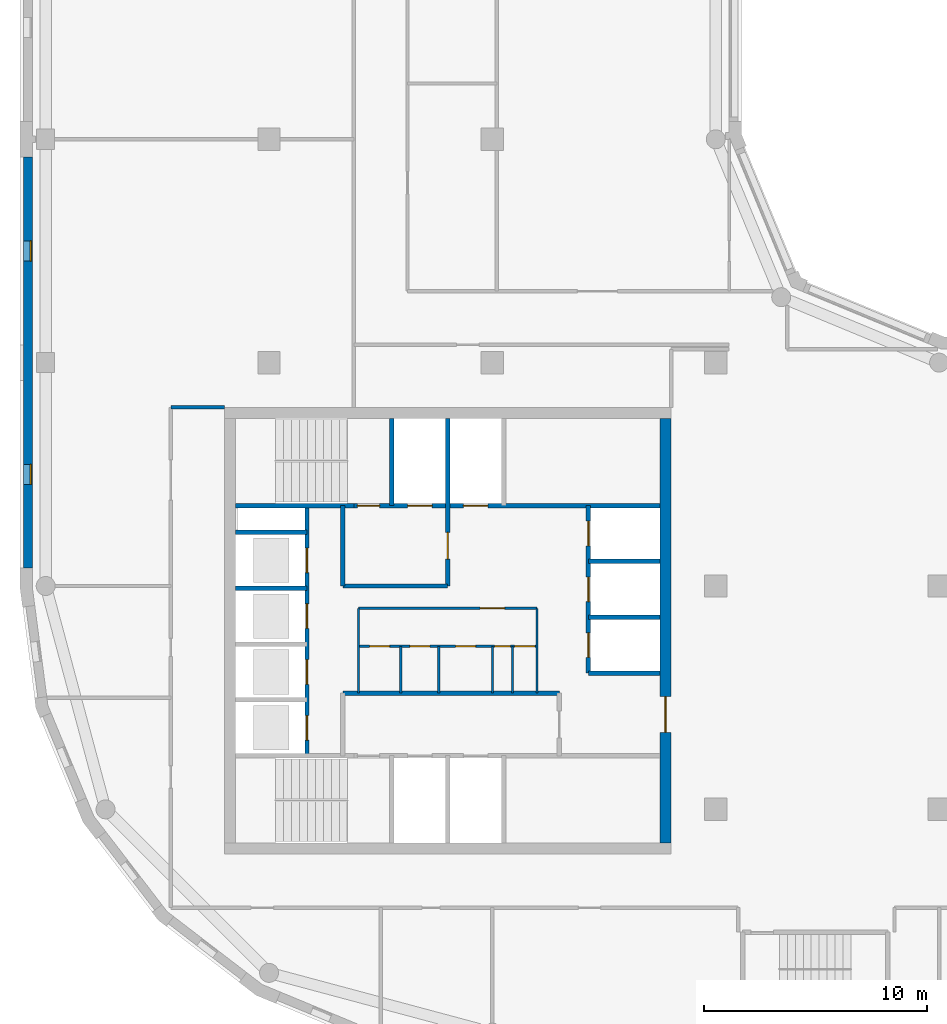
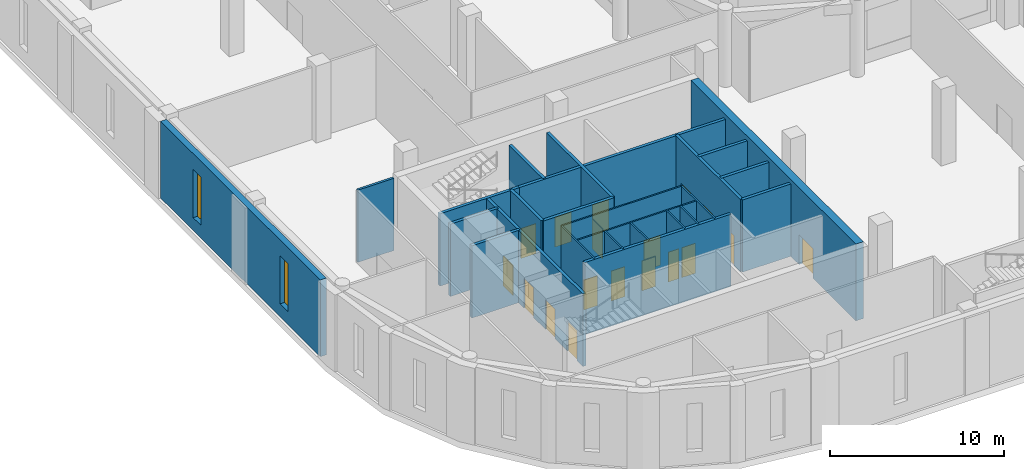
# One storey, part 3 of 9: 25 walls, 18 doors, 2 windows, 20 openings.
"""IFC4 building model written with IfcOpenShell, lengths in metres."""

from ifc_helpers import new_model, si_unit, direction, frame, frame_2d, origin, place, context, subcontext, project, spatial, rectangle, extrude, material, layer, layer_set, type_object, element, fill, save


model = new_model("IFC4")

# Units and contexts
model_context = context("Model", 3, precision=1e-05, world=origin(), true_north=direction((0.0, 1.0)))
body_context = subcontext(model_context, "Body", "Model", "MODEL_VIEW")
ifc_project = project(units=[si_unit("LENGTHUNIT", "METRE"), si_unit("AREAUNIT", "SQUARE_METRE"), si_unit("VOLUMEUNIT", "CUBIC_METRE"), si_unit("PLANEANGLEUNIT", "RADIAN"), si_unit("MASSUNIT", "GRAM", prefix="KILO")], contexts=[model_context])

# Site, building, storey
site_placement = place(None, origin())
site = spatial("IfcSite", under=ifc_project, at=site_placement, CompositionType="ELEMENT")
building_placement = place(site_placement, origin())
building = spatial("IfcBuilding", under=site, at=building_placement, Name="Qaws Garden Tower", CompositionType="ELEMENT")
storey_placement = place(building_placement, frame((0.0, 0.0, 246.0)))
storey = spatial("IfcBuildingStorey", under=building, at=storey_placement, Name="L59", CompositionType="ELEMENT", Elevation=246.0)

# Wall, openings, windows
ifc_material_1 = material(Name="Clay facing brick masonry", Category="masonry")
ifc_layer_1 = layer(ifc_material_1, 0.39990234375)
ifc_layer_set_1 = layer_set([ifc_layer_1], Name="Clay facing brick masonry")
wall_type_1 = type_object("IfcWallType", Name="Brick infill wall 400", PredefinedType="SOLIDWALL", material=ifc_layer_set_1)
wall_1_placement = place(storey_placement, frame((-0.800048828125, 39.199951171875, 0.0), z_axis=(0.0, 0.0, 1.0), x_axis=(0.0, -1.0, 0.0)))
wall_1 = element("IfcWall", 1, at=wall_1_placement, inside=storey, type_object=wall_type_1, Name="E-L59-infill-21", PredefinedType="SOLIDWALL", context=body_context, shape_type="SweptSolid", body=[
    extrude(rectangle(XDim=18.39990234375, YDim=0.39990234375, at=frame_2d((9.199951171875, 0.0))), origin(), (0.0, 0.0, 1.0), 5.39990234375),
])
opening_1_placement = place(wall_1_placement, frame((3.75, 0.0, 0.89990234375)))
opening_1 = element("IfcOpeningElement", 2, at=opening_1_placement, cuts=wall_1, Name="Opening W10", PredefinedType="OPENING", context=body_context, shape_type="SweptSolid", body=[
    extrude(rectangle(XDim=0.89990234375, YDim=3.39990234375, at=frame_2d((0.449951171875, 1.699951171875))), frame((0.0, 0.2099609375, 0.0), z_axis=(0.0, -1.0, 0.0), x_axis=(1.0, 0.0, 0.0)), (0.0, 0.0, 1.0), 0.419921875),
])
opening_2_placement = place(wall_1_placement, frame((13.75, 0.0, 0.89990234375)))
opening_2 = element("IfcOpeningElement", 3, at=opening_2_placement, cuts=wall_1, Name="Opening W10", PredefinedType="OPENING", context=body_context, shape_type="SweptSolid", body=[
    extrude(rectangle(XDim=0.89990234375, YDim=3.39990234375, at=frame_2d((0.449951171875, 1.699951171875))), frame((0.0, 0.2099609375, 0.0), z_axis=(0.0, -1.0, 0.0), x_axis=(1.0, 0.0, 0.0)), (0.0, 0.0, 1.0), 0.419921875),
])
ifc_material_2 = material(Name="Aluminium framed window, clear glazing", Category="aluminium")
window_type = type_object("IfcWindowType", Name="Slit window 900 x 3400", PartitioningType="SINGLE_PANEL", PredefinedType="WINDOW", material=ifc_material_2)
window_1_placement = place(opening_1_placement, origin())
window_1 = element("IfcWindow", 4, at=window_1_placement, inside=storey, type_object=window_type, Name="E-L59-window-21-0", OverallHeight=3.39990234375, OverallWidth=0.89990234375, PartitioningType="SINGLE_PANEL", PredefinedType="WINDOW", context=body_context, shape_type="SweptSolid", body=[
    extrude(rectangle(XDim=0.89990234375, YDim=3.39990234375, at=frame_2d((0.449951171875, 1.699951171875))), frame((0.0, 0.159912109375, 0.0), z_axis=(0.0, -1.0, 0.0), x_axis=(1.0, 0.0, 0.0)), (0.0, 0.0, 1.0), 0.06005859375),
])
fill(opening_1, window_1)
window_2_placement = place(opening_2_placement, origin())
window_2 = element("IfcWindow", 5, at=window_2_placement, inside=storey, type_object=window_type, Name="E-L59-window-22-0", OverallHeight=3.39990234375, OverallWidth=0.89990234375, PartitioningType="SINGLE_PANEL", PredefinedType="WINDOW", context=body_context, shape_type="SweptSolid", body=[
    extrude(rectangle(XDim=0.89990234375, YDim=3.39990234375, at=frame_2d((0.449951171875, 1.699951171875))), frame((0.0, 0.159912109375, 0.0), z_axis=(0.0, -1.0, 0.0), x_axis=(1.0, 0.0, 0.0)), (0.0, 0.0, 1.0), 0.06005859375),
])
fill(opening_2, window_2)

# Wall, openings, doors
ifc_material_3 = material(Name="Plasterboard")
ifc_layer_2 = layer(ifc_material_3, 0.10009765625)
ifc_layer_set_2 = layer_set([ifc_layer_2], Name="Plasterboard")
wall_type_2 = type_object("IfcWallType", Name="Core partition 100", PredefinedType="PARTITIONING", material=ifc_layer_set_2)
wall_2_placement = place(storey_placement, frame((14.0, 17.300048828125, 0.0), z_axis=(0.0, 0.0, 1.0), x_axis=(1.0, 0.0, 0.0)))
wall_2 = element("IfcWall", 6, at=wall_2_placement, inside=storey, type_object=wall_type_2, Name="Core partition", PredefinedType="PARTITIONING", context=body_context, shape_type="SweptSolid", body=[
    extrude(rectangle(XDim=8.0, YDim=0.10009765625, at=frame_2d((4.0, 0.0))), origin(), (0.0, 0.0, 1.0), 5.080078125),
])
opening_3_placement = place(wall_2_placement, frame((0.5, 0.0, 0.0)))
opening_3 = element("IfcOpeningElement", 7, at=opening_3_placement, cuts=wall_2, Name="Opening WD20", PredefinedType="OPENING", context=body_context, shape_type="SweptSolid", body=[
    extrude(rectangle(XDim=0.89990234375, YDim=2.10009765625, at=frame_2d((0.449951171875, 1.050048828125))), frame((0.0, 0.06005859375, 0.0), z_axis=(0.0, -1.0, 0.0), x_axis=(1.0, 0.0, 0.0)), (0.0, 0.0, 1.0), 0.1201171875),
])
opening_4_placement = place(wall_2_placement, frame((2.300048828125, 0.0, 0.0)))
opening_4 = element("IfcOpeningElement", 8, at=opening_4_placement, cuts=wall_2, Name="Opening WD21", PredefinedType="OPENING", context=body_context, shape_type="SweptSolid", body=[
    extrude(rectangle(XDim=0.89990234375, YDim=2.10009765625, at=frame_2d((0.449951171875, 1.050048828125))), frame((0.0, 0.06005859375, 0.0), z_axis=(0.0, -1.0, 0.0), x_axis=(1.0, 0.0, 0.0)), (0.0, 0.0, 1.0), 0.1201171875),
])
opening_5_placement = place(wall_2_placement, frame((4.35009765625, 0.0, 0.0)))
opening_5 = element("IfcOpeningElement", 9, at=opening_5_placement, cuts=wall_2, Name="Opening WD22", PredefinedType="OPENING", context=body_context, shape_type="SweptSolid", body=[
    extrude(rectangle(XDim=0.89990234375, YDim=2.10009765625, at=frame_2d((0.449951171875, 1.050048828125))), frame((0.0, 0.06005859375, 0.0), z_axis=(0.0, -1.0, 0.0), x_axis=(1.0, 0.0, 0.0)), (0.0, 0.0, 1.0), 0.1201171875),
])
opening_6_placement = place(wall_2_placement, frame((6.10009765625, 0.0, 0.0)))
opening_6 = element("IfcOpeningElement", 10, at=opening_6_placement, cuts=wall_2, Name="Opening XD23", PredefinedType="OPENING", context=body_context, shape_type="SweptSolid", body=[
    extrude(rectangle(XDim=0.699951171875, YDim=2.10009765625, at=frame_2d((0.35009765625, 1.050048828125))), frame((0.0, 0.06005859375, 0.0), z_axis=(0.0, -1.0, 0.0), x_axis=(1.0, 0.0, 0.0)), (0.0, 0.0, 1.0), 0.1201171875),
])
opening_7_placement = place(wall_2_placement, frame((7.0, 0.0, 0.0)))
opening_7 = element("IfcOpeningElement", 11, at=opening_7_placement, cuts=wall_2, Name="Opening WD24", PredefinedType="OPENING", context=body_context, shape_type="SweptSolid", body=[
    extrude(rectangle(XDim=0.89990234375, YDim=2.10009765625, at=frame_2d((0.449951171875, 1.050048828125))), frame((0.0, 0.06005859375, 0.0), z_axis=(0.0, -1.0, 0.0), x_axis=(1.0, 0.0, 0.0)), (0.0, 0.0, 1.0), 0.1201171875),
])
ifc_material_4 = material(Name="Timber", Category="wood")
door_type_1 = type_object("IfcDoorType", Name="Store door 700x2100", OperationType="SINGLE_SWING_LEFT", PredefinedType="DOOR", material=ifc_material_4)
door_1_placement = place(opening_6_placement, frame((0.699951171875, 0.0, 0.0), z_axis=(0.0, 0.0, 1.0), x_axis=(-1.0, 0.0, 0.0)))
door_1 = element("IfcDoor", 12, at=door_1_placement, inside=storey, type_object=door_type_1, Name="Cleaner's store door", OperationType="SINGLE_SWING_LEFT", OverallHeight=2.10009765625, OverallWidth=0.699951171875, PredefinedType="DOOR", context=body_context, shape_type="SweptSolid", body=[
    extrude(rectangle(XDim=0.699951171875, YDim=2.10009765625, at=frame_2d((0.35009765625, 1.050048828125))), frame((0.0, 0.02490234375, 0.0), z_axis=(0.0, -1.0, 0.0), x_axis=(1.0, 0.0, 0.0)), (0.0, 0.0, 1.0), 0.050048828125),
])
fill(opening_6, door_1)
ifc_material_5 = material(Name="Timber", Category="wood")
door_type_2 = type_object("IfcDoorType", Name="WC door 900x2100", OperationType="SINGLE_SWING_LEFT", PredefinedType="DOOR", material=ifc_material_5)
door_2_placement = place(opening_3_placement, frame((0.89990234375, 0.0, 0.0), z_axis=(0.0, 0.0, 1.0), x_axis=(-1.0, 0.0, 0.0)))
door_2 = element("IfcDoor", 13, at=door_2_placement, inside=storey, type_object=door_type_2, Name="Men's WC door", OperationType="SINGLE_SWING_LEFT", OverallHeight=2.10009765625, OverallWidth=0.89990234375, PredefinedType="DOOR", context=body_context, shape_type="SweptSolid", body=[
    extrude(rectangle(XDim=0.89990234375, YDim=2.10009765625, at=frame_2d((0.449951171875, 1.050048828125))), frame((0.0, 0.02490234375, 0.0), z_axis=(0.0, -1.0, 0.0), x_axis=(1.0, 0.0, 0.0)), (0.0, 0.0, 1.0), 0.050048828125),
])
fill(opening_3, door_2)
door_3_placement = place(opening_4_placement, frame((0.89990234375, 0.0, 0.0), z_axis=(0.0, 0.0, 1.0), x_axis=(-1.0, 0.0, 0.0)))
door_3 = element("IfcDoor", 14, at=door_3_placement, inside=storey, type_object=door_type_2, Name="Accessible WC door", OperationType="SINGLE_SWING_LEFT", OverallHeight=2.10009765625, OverallWidth=0.89990234375, PredefinedType="DOOR", context=body_context, shape_type="SweptSolid", body=[
    extrude(rectangle(XDim=0.89990234375, YDim=2.10009765625, at=frame_2d((0.449951171875, 1.050048828125))), frame((0.0, 0.02490234375, 0.0), z_axis=(0.0, -1.0, 0.0), x_axis=(1.0, 0.0, 0.0)), (0.0, 0.0, 1.0), 0.050048828125),
])
fill(opening_4, door_3)
door_4_placement = place(opening_5_placement, frame((0.89990234375, 0.0, 0.0), z_axis=(0.0, 0.0, 1.0), x_axis=(-1.0, 0.0, 0.0)))
door_4 = element("IfcDoor", 15, at=door_4_placement, inside=storey, type_object=door_type_2, Name="Women's WC door", OperationType="SINGLE_SWING_LEFT", OverallHeight=2.10009765625, OverallWidth=0.89990234375, PredefinedType="DOOR", context=body_context, shape_type="SweptSolid", body=[
    extrude(rectangle(XDim=0.89990234375, YDim=2.10009765625, at=frame_2d((0.449951171875, 1.050048828125))), frame((0.0, 0.02490234375, 0.0), z_axis=(0.0, -1.0, 0.0), x_axis=(1.0, 0.0, 0.0)), (0.0, 0.0, 1.0), 0.050048828125),
])
fill(opening_5, door_4)
door_5_placement = place(opening_7_placement, frame((0.89990234375, 0.0, 0.0), z_axis=(0.0, 0.0, 1.0), x_axis=(-1.0, 0.0, 0.0)))
door_5 = element("IfcDoor", 16, at=door_5_placement, inside=storey, type_object=door_type_2, Name="Linen store door", OperationType="SINGLE_SWING_LEFT", OverallHeight=2.10009765625, OverallWidth=0.89990234375, PredefinedType="DOOR", context=body_context, shape_type="SweptSolid", body=[
    extrude(rectangle(XDim=0.89990234375, YDim=2.10009765625, at=frame_2d((0.449951171875, 1.050048828125))), frame((0.0, 0.02490234375, 0.0), z_axis=(0.0, -1.0, 0.0), x_axis=(1.0, 0.0, 0.0)), (0.0, 0.0, 1.0), 0.050048828125),
])
fill(opening_7, door_5)

# Wall, opening, door
wall_3_placement = place(storey_placement, frame((14.0, 19.0, 0.0), z_axis=(0.0, 0.0, 1.0), x_axis=(1.0, 0.0, 0.0)))
wall_3 = element("IfcWall", 17, at=wall_3_placement, inside=storey, type_object=wall_type_2, Name="Core partition", PredefinedType="PARTITIONING", context=body_context, shape_type="SweptSolid", body=[
    extrude(rectangle(XDim=8.0, YDim=0.10009765625, at=frame_2d((4.0, 0.0))), origin(), (0.0, 0.0, 1.0), 5.080078125),
])
opening_8_placement = place(wall_3_placement, frame((5.449951171875, 0.0, 0.0)))
opening_8 = element("IfcOpeningElement", 18, at=opening_8_placement, cuts=wall_3, Name="Opening WL19", PredefinedType="OPENING", context=body_context, shape_type="SweptSolid", body=[
    extrude(rectangle(XDim=1.10009765625, YDim=2.10009765625, at=frame_2d((0.550048828125, 1.050048828125))), frame((0.0, 0.06005859375, 0.0), z_axis=(0.0, -1.0, 0.0), x_axis=(1.0, 0.0, 0.0)), (0.0, 0.0, 1.0), 0.1201171875),
])
ifc_material_6 = material(Name="Timber", Category="wood")
door_type_3 = type_object("IfcDoorType", Name="WC lobby door 1100x2100", OperationType="SINGLE_SWING_LEFT", PredefinedType="DOOR", material=ifc_material_6)
door_6_placement = place(opening_8_placement, frame((1.10009765625, 0.0, 0.0), z_axis=(0.0, 0.0, 1.0), x_axis=(-1.0, 0.0, 0.0)))
door_6 = element("IfcDoor", 19, at=door_6_placement, inside=storey, type_object=door_type_3, Name="WC lobby door", OperationType="SINGLE_SWING_LEFT", OverallHeight=2.10009765625, OverallWidth=1.10009765625, PredefinedType="DOOR", context=body_context, shape_type="SweptSolid", body=[
    extrude(rectangle(XDim=1.10009765625, YDim=2.10009765625, at=frame_2d((0.550048828125, 1.050048828125))), frame((0.0, 0.02490234375, 0.0), z_axis=(0.0, -1.0, 0.0), x_axis=(1.0, 0.0, 0.0)), (0.0, 0.0, 1.0), 0.050048828125),
])
fill(opening_8, door_6)

# Walls
wall_4_placement = place(storey_placement, frame((14.0, 15.199951171875, 0.0), z_axis=(0.0, 0.0, 1.0), x_axis=(0.0, 1.0, 0.0)))
element("IfcWall", 20, at=wall_4_placement, inside=storey, type_object=wall_type_2, Name="Core partition", PredefinedType="PARTITIONING", context=body_context, shape_type="SweptSolid", body=[
    extrude(rectangle(XDim=3.800048828125, YDim=0.10009765625, at=frame_2d((1.89990234375, 0.0))), origin(), (0.0, 0.0, 1.0), 5.080078125),
])
for number, where, z_axis, x_axis, name in (
    (21, (15.89990234375, 15.199951171875, 0.0), (0.0, 0.0, 1.0), (0.0, 1.0, 0.0), "Core partition"),
    (22, (17.60009765625, 15.199951171875, 0.0), (0.0, 0.0, 1.0), (0.0, 1.0, 0.0), "Core partition"),
    (23, (20.0, 15.199951171875, 0.0), (0.0, 0.0, 1.0), (0.0, 1.0, 0.0), "Core partition"),
    (24, (20.89990234375, 15.199951171875, 0.0), (0.0, 0.0, 1.0), (0.0, 1.0, 0.0), "Core partition"),
):
    element("IfcWall", number, at=place(storey_placement, frame(where, z_axis=z_axis, x_axis=x_axis)), inside=storey, type_object=wall_type_2, Name=name, PredefinedType="PARTITIONING", context=body_context, shape_type="SweptSolid", body=[
        extrude(rectangle(XDim=2.10009765625, YDim=0.10009765625, at=frame_2d((1.050048828125, 0.0))), origin(), (0.0, 0.0, 1.0), 5.080078125),
    ])
wall_5_placement = place(storey_placement, frame((22.0, 15.199951171875, 0.0), z_axis=(0.0, 0.0, 1.0), x_axis=(0.0, 1.0, 0.0)))
element("IfcWall", 25, at=wall_5_placement, inside=storey, type_object=wall_type_2, Name="Core partition", PredefinedType="PARTITIONING", context=body_context, shape_type="SweptSolid", body=[
    extrude(rectangle(XDim=3.800048828125, YDim=0.10009765625, at=frame_2d((1.89990234375, 0.0))), origin(), (0.0, 0.0, 1.0), 5.080078125),
])
ifc_material_7 = material(Name="Concrete C60", Category="concrete")
ifc_layer_3 = layer(ifc_material_7, 0.199951171875)
ifc_layer_set_3 = layer_set([ifc_layer_3], Name="Concrete C60")
wall_type_3 = type_object("IfcWallType", Name="Core shaft wall 200 C60", PredefinedType="SHEAR", material=ifc_layer_set_3)
wall_6_placement = place(storey_placement, frame((13.300048828125, 15.199951171875, 0.0), z_axis=(0.0, 0.0, 1.0), x_axis=(1.0, 0.0, 0.0)))
element("IfcWall", 26, at=wall_6_placement, inside=storey, type_object=wall_type_3, Name="Shaft wall", PredefinedType="SHEAR", context=body_context, shape_type="SweptSolid", body=[
    extrude(rectangle(XDim=9.699951171875, YDim=0.199951171875, at=frame_2d((4.85009765625, 0.0))), origin(), (0.0, 0.0, 1.0), 5.080078125),
])
for number, where, z_axis, x_axis, name in (
    (27, (24.300048828125, 16.10009765625, 0.0), (0.0, 0.0, 1.0), (1.0, 0.0, 0.0), "Shaft wall"),
    (28, (24.300048828125, 18.60009765625, 0.0), (0.0, 0.0, 1.0), (1.0, 0.0, 0.0), "Shaft wall"),
    (29, (8.5, 19.89990234375, 0.0), (0.0, 0.0, 1.0), (1.0, 0.0, 0.0), "Shaft wall"),
):
    element("IfcWall", number, at=place(storey_placement, frame(where, z_axis=z_axis, x_axis=x_axis)), inside=storey, type_object=wall_type_3, Name=name, PredefinedType="SHEAR", context=body_context, shape_type="SweptSolid", body=[
        extrude(rectangle(XDim=3.199951171875, YDim=0.199951171875, at=frame_2d((1.60009765625, 0.0))), origin(), (0.0, 0.0, 1.0), 5.080078125),
    ])
wall_7_placement = place(storey_placement, frame((13.300048828125, 20.0, 0.0), z_axis=(0.0, 0.0, 1.0), x_axis=(1.0, 0.0, 0.0)))
element("IfcWall", 30, at=wall_7_placement, inside=storey, type_object=wall_type_3, Name="Shaft wall", PredefinedType="SHEAR", context=body_context, shape_type="SweptSolid", body=[
    extrude(rectangle(XDim=4.699951171875, YDim=0.199951171875, at=frame_2d((2.35009765625, 0.0))), origin(), (0.0, 0.0, 1.0), 5.080078125),
])
for number, where, z_axis, x_axis, name in (
    (31, (24.300048828125, 21.10009765625, 0.0), (0.0, 0.0, 1.0), (1.0, 0.0, 0.0), "Shaft wall"),
    (32, (8.5, 22.39990234375, 0.0), (0.0, 0.0, 1.0), (1.0, 0.0, 0.0), "Shaft wall"),
):
    element("IfcWall", number, at=place(storey_placement, frame(where, z_axis=z_axis, x_axis=x_axis)), inside=storey, type_object=wall_type_3, Name=name, PredefinedType="SHEAR", context=body_context, shape_type="SweptSolid", body=[
        extrude(rectangle(XDim=3.199951171875, YDim=0.199951171875, at=frame_2d((1.60009765625, 0.0))), origin(), (0.0, 0.0, 1.0), 5.080078125),
    ])
wall_8_placement = place(storey_placement, frame((8.5, 23.60009765625, 0.0), z_axis=(0.0, 0.0, 1.0), x_axis=(1.0, 0.0, 0.0)))
element("IfcWall", 33, at=wall_8_placement, inside=storey, type_object=wall_type_3, Name="Shaft wall", PredefinedType="SHEAR", context=body_context, shape_type="SweptSolid", body=[
    extrude(rectangle(XDim=5.300048828125, YDim=0.199951171875, at=frame_2d((2.64990234375, 0.0))), origin(), (0.0, 0.0, 1.0), 5.080078125),
])

# Wall, openings, doors
wall_9_placement = place(storey_placement, frame((13.800048828125, 23.60009765625, 0.0), z_axis=(0.0, 0.0, 1.0), x_axis=(1.0, 0.0, 0.0)))
wall_9 = element("IfcWall", 34, at=wall_9_placement, inside=storey, type_object=wall_type_3, Name="Shaft wall", PredefinedType="SHEAR", context=body_context, shape_type="SweptSolid", body=[
    extrude(rectangle(XDim=13.699951171875, YDim=0.199951171875, at=frame_2d((6.85009765625, 0.0))), origin(), (0.0, 0.0, 1.0), 5.080078125),
])
opening_9_placement = place(wall_9_placement, frame((2.39990234375, 0.0, 0.0)))
opening_9 = element("IfcOpeningElement", 35, at=opening_9_placement, cuts=wall_9, Name="Opening LD10", PredefinedType="OPENING", context=body_context, shape_type="SweptSolid", body=[
    extrude(rectangle(XDim=1.10009765625, YDim=2.10009765625, at=frame_2d((0.550048828125, 1.050048828125))), frame((0.0, 0.10986328125, 0.0), z_axis=(0.0, -1.0, 0.0), x_axis=(1.0, 0.0, 0.0)), (0.0, 0.0, 1.0), 0.219970703125),
])
opening_10_placement = place(wall_9_placement, frame((4.89990234375, 0.0, 0.0)))
opening_10 = element("IfcOpeningElement", 36, at=opening_10_placement, cuts=wall_9, Name="Opening LD11", PredefinedType="OPENING", context=body_context, shape_type="SweptSolid", body=[
    extrude(rectangle(XDim=1.10009765625, YDim=2.10009765625, at=frame_2d((0.550048828125, 1.050048828125))), frame((0.0, 0.10986328125, 0.0), z_axis=(0.0, -1.0, 0.0), x_axis=(1.0, 0.0, 0.0)), (0.0, 0.0, 1.0), 0.219970703125),
])
opening_11_placement = place(wall_9_placement, frame((0.14990234375, 0.0, 0.0)))
opening_11 = element("IfcOpeningElement", 37, at=opening_11_placement, cuts=wall_9, Name="Opening SD13", PredefinedType="OPENING", context=body_context, shape_type="SweptSolid", body=[
    extrude(rectangle(XDim=1.0, YDim=2.10009765625, at=frame_2d((0.5, 1.050048828125))), frame((0.0, 0.10986328125, 0.0), z_axis=(0.0, -1.0, 0.0), x_axis=(1.0, 0.0, 0.0)), (0.0, 0.0, 1.0), 0.219970703125),
])
ifc_material_8 = material(Name="Steel S235", Category="steel")
door_type_4 = type_object("IfcDoorType", Name="Landing door 1100x2100", OperationType="DOUBLE_DOOR_SLIDING", PredefinedType="DOOR", material=ifc_material_8)
door_7_placement = place(opening_9_placement, origin())
door_7 = element("IfcDoor", 38, at=door_7_placement, inside=storey, type_object=door_type_4, Name="Lift FF3 landing door", OperationType="DOUBLE_DOOR_SLIDING", OverallHeight=2.10009765625, OverallWidth=1.10009765625, PredefinedType="DOOR", context=body_context, shape_type="SweptSolid", body=[
    extrude(rectangle(XDim=1.10009765625, YDim=2.10009765625, at=frame_2d((0.550048828125, 1.050048828125))), frame((0.0, 0.02490234375, 0.0), z_axis=(0.0, -1.0, 0.0), x_axis=(1.0, 0.0, 0.0)), (0.0, 0.0, 1.0), 0.050048828125),
])
fill(opening_9, door_7)
door_8_placement = place(opening_10_placement, origin())
door_8 = element("IfcDoor", 39, at=door_8_placement, inside=storey, type_object=door_type_4, Name="Lift SV2 landing door", OperationType="DOUBLE_DOOR_SLIDING", OverallHeight=2.10009765625, OverallWidth=1.10009765625, PredefinedType="DOOR", context=body_context, shape_type="SweptSolid", body=[
    extrude(rectangle(XDim=1.10009765625, YDim=2.10009765625, at=frame_2d((0.550048828125, 1.050048828125))), frame((0.0, 0.02490234375, 0.0), z_axis=(0.0, -1.0, 0.0), x_axis=(1.0, 0.0, 0.0)), (0.0, 0.0, 1.0), 0.050048828125),
])
fill(opening_10, door_8)
ifc_material_9 = material(Name="Steel S235", Category="steel")
door_type_5 = type_object("IfcDoorType", Name="Stair door 1000x2100", OperationType="SINGLE_SWING_RIGHT", PredefinedType="DOOR", material=ifc_material_9)
door_9_placement = place(opening_11_placement, origin())
door_9 = element("IfcDoor", 40, at=door_9_placement, inside=storey, type_object=door_type_5, Name="Stair 4 door", OperationType="SINGLE_SWING_RIGHT", OverallHeight=2.10009765625, OverallWidth=1.0, PredefinedType="DOOR", context=body_context, shape_type="SweptSolid", body=[
    extrude(rectangle(XDim=1.0, YDim=2.10009765625, at=frame_2d((0.5, 1.050048828125))), frame((0.0, 0.02490234375, 0.0), z_axis=(0.0, -1.0, 0.0), x_axis=(1.0, 0.0, 0.0)), (0.0, 0.0, 1.0), 0.050048828125),
])
fill(opening_11, door_9)

wall_10_placement = place(storey_placement, frame((11.699951171875, 12.39990234375, 0.0), z_axis=(0.0, 0.0, 1.0), x_axis=(0.0, 1.0, 0.0)))
wall_10 = element("IfcWall", 41, at=wall_10_placement, inside=storey, type_object=wall_type_3, Name="Shaft wall", PredefinedType="SHEAR", context=body_context, shape_type="SweptSolid", body=[
    extrude(rectangle(XDim=11.2001953125, YDim=0.199951171875, at=frame_2d((5.60009765625, 0.0))), origin(), (0.0, 0.0, 1.0), 5.080078125),
])
opening_12_placement = place(wall_10_placement, frame((0.699951171875, 0.0, 0.0)))
opening_12 = element("IfcOpeningElement", 42, at=opening_12_placement, cuts=wall_10, Name="Opening LD01", PredefinedType="OPENING", context=body_context, shape_type="SweptSolid", body=[
    extrude(rectangle(XDim=1.10009765625, YDim=2.10009765625, at=frame_2d((0.550048828125, 1.050048828125))), frame((0.0, 0.10986328125, 0.0), z_axis=(0.0, -1.0, 0.0), x_axis=(1.0, 0.0, 0.0)), (0.0, 0.0, 1.0), 0.219970703125),
])
opening_13_placement = place(wall_10_placement, frame((3.199951171875, 0.0, 0.0)))
opening_13 = element("IfcOpeningElement", 43, at=opening_13_placement, cuts=wall_10, Name="Opening LD02", PredefinedType="OPENING", context=body_context, shape_type="SweptSolid", body=[
    extrude(rectangle(XDim=1.10009765625, YDim=2.10009765625, at=frame_2d((0.550048828125, 1.050048828125))), frame((0.0, 0.10986328125, 0.0), z_axis=(0.0, -1.0, 0.0), x_axis=(1.0, 0.0, 0.0)), (0.0, 0.0, 1.0), 0.219970703125),
])
opening_14_placement = place(wall_10_placement, frame((5.699951171875, 0.0, 0.0)))
opening_14 = element("IfcOpeningElement", 44, at=opening_14_placement, cuts=wall_10, Name="Opening LD03", PredefinedType="OPENING", context=body_context, shape_type="SweptSolid", body=[
    extrude(rectangle(XDim=1.10009765625, YDim=2.10009765625, at=frame_2d((0.550048828125, 1.050048828125))), frame((0.0, 0.10986328125, 0.0), z_axis=(0.0, -1.0, 0.0), x_axis=(1.0, 0.0, 0.0)), (0.0, 0.0, 1.0), 0.219970703125),
])
opening_15_placement = place(wall_10_placement, frame((8.199951171875, 0.0, 0.0)))
opening_15 = element("IfcOpeningElement", 45, at=opening_15_placement, cuts=wall_10, Name="Opening LD04", PredefinedType="OPENING", context=body_context, shape_type="SweptSolid", body=[
    extrude(rectangle(XDim=1.10009765625, YDim=2.10009765625, at=frame_2d((0.550048828125, 1.050048828125))), frame((0.0, 0.10986328125, 0.0), z_axis=(0.0, -1.0, 0.0), x_axis=(1.0, 0.0, 0.0)), (0.0, 0.0, 1.0), 0.219970703125),
])
door_10_placement = place(opening_12_placement, origin())
door_10 = element("IfcDoor", 46, at=door_10_placement, inside=storey, type_object=door_type_4, Name="Lift W1 landing door", OperationType="DOUBLE_DOOR_SLIDING", OverallHeight=2.10009765625, OverallWidth=1.10009765625, PredefinedType="DOOR", context=body_context, shape_type="SweptSolid", body=[
    extrude(rectangle(XDim=1.10009765625, YDim=2.10009765625, at=frame_2d((0.550048828125, 1.050048828125))), frame((0.0, 0.02490234375, 0.0), z_axis=(0.0, -1.0, 0.0), x_axis=(1.0, 0.0, 0.0)), (0.0, 0.0, 1.0), 0.050048828125),
])
fill(opening_12, door_10)
door_11_placement = place(opening_13_placement, origin())
door_11 = element("IfcDoor", 47, at=door_11_placement, inside=storey, type_object=door_type_4, Name="Lift W2 landing door", OperationType="DOUBLE_DOOR_SLIDING", OverallHeight=2.10009765625, OverallWidth=1.10009765625, PredefinedType="DOOR", context=body_context, shape_type="SweptSolid", body=[
    extrude(rectangle(XDim=1.10009765625, YDim=2.10009765625, at=frame_2d((0.550048828125, 1.050048828125))), frame((0.0, 0.02490234375, 0.0), z_axis=(0.0, -1.0, 0.0), x_axis=(1.0, 0.0, 0.0)), (0.0, 0.0, 1.0), 0.050048828125),
])
fill(opening_13, door_11)
door_12_placement = place(opening_14_placement, origin())
door_12 = element("IfcDoor", 48, at=door_12_placement, inside=storey, type_object=door_type_4, Name="Lift W3 landing door", OperationType="DOUBLE_DOOR_SLIDING", OverallHeight=2.10009765625, OverallWidth=1.10009765625, PredefinedType="DOOR", context=body_context, shape_type="SweptSolid", body=[
    extrude(rectangle(XDim=1.10009765625, YDim=2.10009765625, at=frame_2d((0.550048828125, 1.050048828125))), frame((0.0, 0.02490234375, 0.0), z_axis=(0.0, -1.0, 0.0), x_axis=(1.0, 0.0, 0.0)), (0.0, 0.0, 1.0), 0.050048828125),
])
fill(opening_14, door_12)
door_13_placement = place(opening_15_placement, origin())
door_13 = element("IfcDoor", 49, at=door_13_placement, inside=storey, type_object=door_type_4, Name="Lift W4 landing door", OperationType="DOUBLE_DOOR_SLIDING", OverallHeight=2.10009765625, OverallWidth=1.10009765625, PredefinedType="DOOR", context=body_context, shape_type="SweptSolid", body=[
    extrude(rectangle(XDim=1.10009765625, YDim=2.10009765625, at=frame_2d((0.550048828125, 1.050048828125))), frame((0.0, 0.02490234375, 0.0), z_axis=(0.0, -1.0, 0.0), x_axis=(1.0, 0.0, 0.0)), (0.0, 0.0, 1.0), 0.050048828125),
])
fill(opening_15, door_13)

# Walls
wall_11_placement = place(storey_placement, frame((13.300048828125, 20.0, 0.0), z_axis=(0.0, 0.0, 1.0), x_axis=(0.0, 1.0, 0.0)))
element("IfcWall", 50, at=wall_11_placement, inside=storey, type_object=wall_type_3, Name="Shaft wall", PredefinedType="SHEAR", context=body_context, shape_type="SweptSolid", body=[
    extrude(rectangle(XDim=3.60009765625, YDim=0.199951171875, at=frame_2d((1.800048828125, 0.0))), origin(), (0.0, 0.0, 1.0), 5.080078125),
])
wall_12_placement = place(storey_placement, frame((15.5, 23.60009765625, 0.0), z_axis=(0.0, 0.0, 1.0), x_axis=(0.0, 1.0, 0.0)))
element("IfcWall", 51, at=wall_12_placement, inside=storey, type_object=wall_type_3, Name="Shaft wall", PredefinedType="SHEAR", context=body_context, shape_type="SweptSolid", body=[
    extrude(rectangle(XDim=3.89990234375, YDim=0.199951171875, at=frame_2d((1.949951171875, 0.0))), origin(), (0.0, 0.0, 1.0), 5.080078125),
])

# Wall, opening, door
wall_13_placement = place(storey_placement, frame((18.0, 20.0, 0.0), z_axis=(0.0, 0.0, 1.0), x_axis=(0.0, 1.0, 0.0)))
wall_13 = element("IfcWall", 52, at=wall_13_placement, inside=storey, type_object=wall_type_3, Name="Shaft wall", PredefinedType="SHEAR", context=body_context, shape_type="SweptSolid", body=[
    extrude(rectangle(XDim=7.5, YDim=0.199951171875, at=frame_2d((3.75, 0.0))), origin(), (0.0, 0.0, 1.0), 5.080078125),
])
opening_16_placement = place(wall_13_placement, frame((1.199951171875, 0.0, 0.0)))
opening_16 = element("IfcOpeningElement", 53, at=opening_16_placement, cuts=wall_13, Name="Opening FD18", PredefinedType="OPENING", context=body_context, shape_type="SweptSolid", body=[
    extrude(rectangle(XDim=1.199951171875, YDim=2.10009765625, at=frame_2d((0.60009765625, 1.050048828125))), frame((0.0, 0.10986328125, 0.0), z_axis=(0.0, -1.0, 0.0), x_axis=(1.0, 0.0, 0.0)), (0.0, 0.0, 1.0), 0.219970703125),
])
ifc_material_10 = material(Name="Steel S235", Category="steel")
door_type_6 = type_object("IfcDoorType", Name="Lobby door 1200x2100", OperationType="DOUBLE_DOOR_SINGLE_SWING", PredefinedType="DOOR", material=ifc_material_10)
door_14_placement = place(opening_16_placement, origin())
door_14 = element("IfcDoor", 54, at=door_14_placement, inside=storey, type_object=door_type_6, Name="Fire-fighting lobby door", OperationType="DOUBLE_DOOR_SINGLE_SWING", OverallHeight=2.10009765625, OverallWidth=1.199951171875, PredefinedType="DOOR", context=body_context, shape_type="SweptSolid", body=[
    extrude(rectangle(XDim=1.199951171875, YDim=2.10009765625, at=frame_2d((0.60009765625, 1.050048828125))), frame((0.0, 0.02490234375, 0.0), z_axis=(0.0, -1.0, 0.0), x_axis=(1.0, 0.0, 0.0)), (0.0, 0.0, 1.0), 0.050048828125),
])
fill(opening_16, door_14)

# Wall, openings, doors
wall_14_placement = place(storey_placement, frame((24.300048828125, 16.10009765625, 0.0), z_axis=(0.0, 0.0, 1.0), x_axis=(0.0, 1.0, 0.0)))
wall_14 = element("IfcWall", 55, at=wall_14_placement, inside=storey, type_object=wall_type_3, Name="Shaft wall", PredefinedType="SHEAR", context=body_context, shape_type="SweptSolid", body=[
    extrude(rectangle(XDim=7.5, YDim=0.199951171875, at=frame_2d((3.75, 0.0))), origin(), (0.0, 0.0, 1.0), 5.080078125),
])
opening_17_placement = place(wall_14_placement, frame((0.699951171875, 0.0, 0.0)))
opening_17 = element("IfcOpeningElement", 56, at=opening_17_placement, cuts=wall_14, Name="Opening LD05", PredefinedType="OPENING", context=body_context, shape_type="SweptSolid", body=[
    extrude(rectangle(XDim=1.10009765625, YDim=2.10009765625, at=frame_2d((0.550048828125, 1.050048828125))), frame((0.0, 0.10986328125, 0.0), z_axis=(0.0, -1.0, 0.0), x_axis=(1.0, 0.0, 0.0)), (0.0, 0.0, 1.0), 0.219970703125),
])
opening_18_placement = place(wall_14_placement, frame((3.199951171875, 0.0, 0.0)))
opening_18 = element("IfcOpeningElement", 57, at=opening_18_placement, cuts=wall_14, Name="Opening LD06", PredefinedType="OPENING", context=body_context, shape_type="SweptSolid", body=[
    extrude(rectangle(XDim=1.10009765625, YDim=2.10009765625, at=frame_2d((0.550048828125, 1.050048828125))), frame((0.0, 0.10986328125, 0.0), z_axis=(0.0, -1.0, 0.0), x_axis=(1.0, 0.0, 0.0)), (0.0, 0.0, 1.0), 0.219970703125),
])
opening_19_placement = place(wall_14_placement, frame((5.699951171875, 0.0, 0.0)))
opening_19 = element("IfcOpeningElement", 58, at=opening_19_placement, cuts=wall_14, Name="Opening LD07", PredefinedType="OPENING", context=body_context, shape_type="SweptSolid", body=[
    extrude(rectangle(XDim=1.10009765625, YDim=2.10009765625, at=frame_2d((0.550048828125, 1.050048828125))), frame((0.0, 0.10986328125, 0.0), z_axis=(0.0, -1.0, 0.0), x_axis=(1.0, 0.0, 0.0)), (0.0, 0.0, 1.0), 0.219970703125),
])
door_15_placement = place(opening_17_placement, origin())
door_15 = element("IfcDoor", 59, at=door_15_placement, inside=storey, type_object=door_type_4, Name="Lift E1 landing door", OperationType="DOUBLE_DOOR_SLIDING", OverallHeight=2.10009765625, OverallWidth=1.10009765625, PredefinedType="DOOR", context=body_context, shape_type="SweptSolid", body=[
    extrude(rectangle(XDim=1.10009765625, YDim=2.10009765625, at=frame_2d((0.550048828125, 1.050048828125))), frame((0.0, 0.02490234375, 0.0), z_axis=(0.0, -1.0, 0.0), x_axis=(1.0, 0.0, 0.0)), (0.0, 0.0, 1.0), 0.050048828125),
])
fill(opening_17, door_15)
door_16_placement = place(opening_18_placement, origin())
door_16 = element("IfcDoor", 60, at=door_16_placement, inside=storey, type_object=door_type_4, Name="Lift E2 landing door", OperationType="DOUBLE_DOOR_SLIDING", OverallHeight=2.10009765625, OverallWidth=1.10009765625, PredefinedType="DOOR", context=body_context, shape_type="SweptSolid", body=[
    extrude(rectangle(XDim=1.10009765625, YDim=2.10009765625, at=frame_2d((0.550048828125, 1.050048828125))), frame((0.0, 0.02490234375, 0.0), z_axis=(0.0, -1.0, 0.0), x_axis=(1.0, 0.0, 0.0)), (0.0, 0.0, 1.0), 0.050048828125),
])
fill(opening_18, door_16)
door_17_placement = place(opening_19_placement, origin())
door_17 = element("IfcDoor", 61, at=door_17_placement, inside=storey, type_object=door_type_4, Name="Lift E3 landing door", OperationType="DOUBLE_DOOR_SLIDING", OverallHeight=2.10009765625, OverallWidth=1.10009765625, PredefinedType="DOOR", context=body_context, shape_type="SweptSolid", body=[
    extrude(rectangle(XDim=1.10009765625, YDim=2.10009765625, at=frame_2d((0.550048828125, 1.050048828125))), frame((0.0, 0.02490234375, 0.0), z_axis=(0.0, -1.0, 0.0), x_axis=(1.0, 0.0, 0.0)), (0.0, 0.0, 1.0), 0.050048828125),
])
fill(opening_19, door_17)

# Wall, opening, door
ifc_material_11 = material(Name="Concrete C60", Category="concrete")
ifc_layer_4 = layer(ifc_material_11, 0.5)
ifc_layer_set_4 = layer_set([ifc_layer_4], Name="Concrete C60")
wall_type_4 = type_object("IfcWallType", Name="Core wall 500 C60", PredefinedType="SHEAR", material=ifc_layer_set_4)
wall_15_placement = place(storey_placement, frame((27.75, 8.5, 0.0), z_axis=(0.0, 0.0, 1.0), x_axis=(0.0, 1.0, 0.0)))
wall_15 = element("IfcWall", 62, at=wall_15_placement, inside=storey, type_object=wall_type_4, Name="Core wall L59 east", PredefinedType="SHEAR", context=body_context, shape_type="SweptSolid", body=[
    extrude(rectangle(XDim=19.0, YDim=0.5, at=frame_2d((9.5, 0.0))), origin(), (0.0, 0.0, 1.0), 5.39990234375),
])
opening_20_placement = place(wall_15_placement, frame((4.949951171875, 0.0, 0.0)))
opening_20 = element("IfcOpeningElement", 63, at=opening_20_placement, cuts=wall_15, Name="Opening ED25", PredefinedType="OPENING", context=body_context, shape_type="SweptSolid", body=[
    extrude(rectangle(XDim=1.60009765625, YDim=2.10009765625, at=frame_2d((0.800048828125, 1.050048828125))), frame((0.0, 0.260009765625, 0.0), z_axis=(0.0, -1.0, 0.0), x_axis=(1.0, 0.0, 0.0)), (0.0, 0.0, 1.0), 0.52001953125),
])
ifc_material_12 = material(Name="Steel S235", Category="steel")
door_type_7 = type_object("IfcDoorType", Name="Core entrance door 1600x2100", OperationType="DOUBLE_DOOR_SINGLE_SWING", PredefinedType="DOOR", material=ifc_material_12)
door_18_placement = place(opening_20_placement, frame((1.60009765625, 0.0, 0.0), z_axis=(0.0, 0.0, 1.0), x_axis=(-1.0, 0.0, 0.0)))
door_18 = element("IfcDoor", 64, at=door_18_placement, inside=storey, type_object=door_type_7, Name="Core entrance door", OperationType="DOUBLE_DOOR_SINGLE_SWING", OverallHeight=2.10009765625, OverallWidth=1.60009765625, PredefinedType="DOOR", context=body_context, shape_type="SweptSolid", body=[
    extrude(rectangle(XDim=1.60009765625, YDim=2.10009765625, at=frame_2d((0.800048828125, 1.050048828125))), frame((0.0, 0.02490234375, 0.0), z_axis=(0.0, -1.0, 0.0), x_axis=(1.0, 0.0, 0.0)), (0.0, 0.0, 1.0), 0.050048828125),
])
fill(opening_20, door_18)

# Wall
ifc_material_13 = material(Name="Gypsum board partition")
ifc_layer_5 = layer(ifc_material_13, 0.14990234375)
ifc_layer_set_5 = layer_set([ifc_layer_5], Name="Gypsum board partition")
wall_type_5 = type_object("IfcWallType", Name="PARTITION 150 EI 60", PredefinedType="PARTITIONING", material=ifc_layer_set_5)
wall_16_placement = place(storey_placement, frame((5.60009765625, 28.0, 0.0), z_axis=(0.0, 0.0, 1.0), x_axis=(1.0, 0.0, 0.0)))
element("IfcWall", 65, at=wall_16_placement, inside=storey, type_object=wall_type_5, Name="O-L59-wall-024", PredefinedType="PARTITIONING", context=body_context, shape_type="SweptSolid", body=[
    extrude(rectangle(XDim=2.39990234375, YDim=0.14990234375, at=frame_2d((1.199951171875, 0.0))), origin(), (0.0, 0.0, 1.0), 5.080078125),
])

save(model, "model.ifc")
